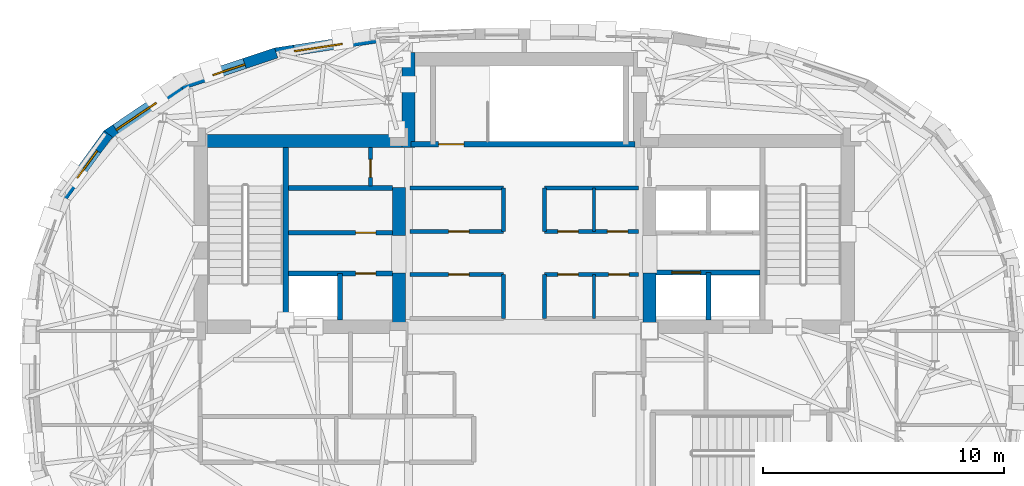
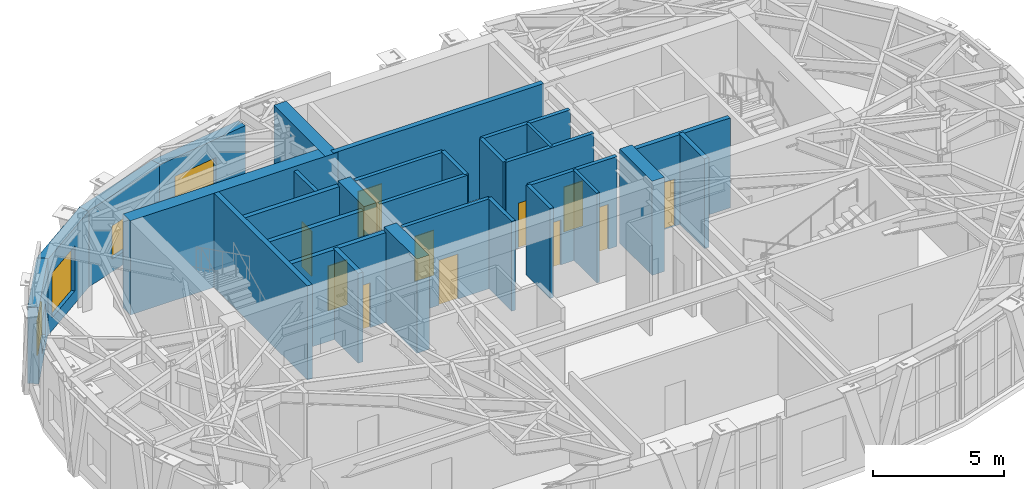
# One storey, part 11 of 16: 30 walls, 11 doors, 4 windows, 15 openings.
"""IFC4 building model written with IfcOpenShell, lengths in metres."""

from ifc_helpers import new_model, si_unit, direction, frame, frame_2d, origin, place, context, subcontext, project, spatial, rectangle, extrude, material, layer, layer_set, type_object, element, fill, save


model = new_model("IFC4")

# Units and contexts
model_context = context("Model", 3, precision=1e-05, world=origin(), true_north=direction((0.0, 1.0)))
body_context = subcontext(model_context, "Body", "Model", "MODEL_VIEW")
ifc_project = project(units=[si_unit("LENGTHUNIT", "METRE"), si_unit("AREAUNIT", "SQUARE_METRE"), si_unit("VOLUMEUNIT", "CUBIC_METRE"), si_unit("PLANEANGLEUNIT", "RADIAN"), si_unit("MASSUNIT", "GRAM", prefix="KILO")], contexts=[model_context])

# Site, building, storey
site_placement = place(None, origin())
site = spatial("IfcSite", under=ifc_project, at=site_placement, CompositionType="ELEMENT")
building_placement = place(site_placement, origin())
building = spatial("IfcBuilding", under=site, at=building_placement, Name="Keldmark Tower", CompositionType="ELEMENT")
storey_placement = place(building_placement, frame((0.0, 0.0, 264.800048828125)))
storey = spatial("IfcBuildingStorey", under=building, at=storey_placement, Name="L75", CompositionType="ELEMENT", Elevation=264.800048828125)

# Walls
ifc_material_1 = material(Name="Concrete C50/60", Category="concrete")
ifc_layer_1 = layer(ifc_material_1, 0.550048828125)
ifc_layer_set_1 = layer_set([ifc_layer_1], Name="Concrete C50/60")
wall_type_1 = type_object("IfcWallType", Name="High-Rise Core Shear Wall 550 mm", PredefinedType="SHEAR", material=ifc_layer_set_1)
wall_1_placement = place(storey_placement, frame((-13.699951171875, 9.27490234375, 0.0), z_axis=(0.0, 0.0, 1.0), x_axis=(1.0, 0.0, 0.0)))
element("IfcWall", 1, at=wall_1_placement, inside=storey, type_object=wall_type_1, Name="L75 West Core North Shear Wall", PredefinedType="SHEAR", context=body_context, shape_type="SweptSolid", body=[
    extrude(rectangle(XDim=9.175048828125, YDim=0.550048828125, at=frame_2d((4.58740234375, 0.0))), origin(), (0.0, 0.0, 1.0), 4.39990234375),
])
wall_2_placement = place(storey_placement, frame((-5.199951171875, 1.300048828125, 0.0), z_axis=(0.0, 0.0, 1.0), x_axis=(0.0, 1.0, 0.0)))
element("IfcWall", 2, at=wall_2_placement, inside=storey, type_object=wall_type_1, Name="L75 West Core Inner Shear Pier South", PredefinedType="SHEAR", context=body_context, shape_type="SweptSolid", body=[
    extrude(rectangle(XDim=2.5, YDim=0.550048828125, at=frame_2d((1.25, 0.0))), origin(), (0.0, 0.0, 1.0), 4.39990234375),
])
wall_3_placement = place(storey_placement, frame((-5.199951171875, 5.35009765625, 0.0), z_axis=(0.0, 0.0, 1.0), x_axis=(0.0, 1.0, 0.0)))
element("IfcWall", 3, at=wall_3_placement, inside=storey, type_object=wall_type_1, Name="L75 West Core Inner Shear Pier North", PredefinedType="SHEAR", context=body_context, shape_type="SweptSolid", body=[
    extrude(rectangle(XDim=2.0, YDim=0.550048828125, at=frame_2d((1.0, 0.0))), origin(), (0.0, 0.0, 1.0), 4.39990234375),
])
wall_4_placement = place(storey_placement, frame((5.199951171875, 1.300048828125, 0.0), z_axis=(0.0, 0.0, 1.0), x_axis=(0.0, 1.0, 0.0)))
element("IfcWall", 4, at=wall_4_placement, inside=storey, type_object=wall_type_1, Name="L75 East Core Inner Shear Pier South", PredefinedType="SHEAR", context=body_context, shape_type="SweptSolid", body=[
    extrude(rectangle(XDim=2.5, YDim=0.550048828125, at=frame_2d((1.25, 0.0))), origin(), (0.0, 0.0, 1.0), 4.39990234375),
])
wall_5_placement = place(storey_placement, frame((-4.800048828125, 9.0, 0.0), z_axis=(0.0, 0.0, 1.0), x_axis=(0.0, 1.0, 0.0)))
element("IfcWall", 5, at=wall_5_placement, inside=storey, type_object=wall_type_1, Name="L75 North Core West Shear Wall", PredefinedType="SHEAR", context=body_context, shape_type="SweptSolid", body=[
    extrude(rectangle(XDim=3.949951171875, YDim=0.550048828125, at=frame_2d((1.97509765625, 0.0))), origin(), (0.0, 0.0, 1.0), 4.39990234375),
])
ifc_material_2 = material(Name="Acoustic Gypsum Board Interior Partition", Category="gypsum")
ifc_layer_2 = layer(ifc_material_2, 0.1298828125)
ifc_layer_set_2 = layer_set([ifc_layer_2], Name="Acoustic Gypsum Board Interior Partition")
wall_type_2 = type_object("IfcWallType", Name="Interior Partition 130 mm", PredefinedType="PARTITIONING", material=ifc_layer_set_2)
wall_6_placement = place(storey_placement, frame((2.89990234375, 1.919921875, 0.0), z_axis=(0.0, 0.0, 1.0), x_axis=(0.0, 1.0, 0.0)))
element("IfcWall", 6, at=wall_6_placement, inside=storey, type_object=wall_type_2, Name="L75 Interior Partition 130 mm REC-LE-M", PredefinedType="PARTITIONING", context=body_context, shape_type="SweptSolid", body=[
    extrude(rectangle(XDim=1.820068359375, YDim=0.1298828125, at=frame_2d((0.91015625, 0.0))), origin(), (0.0, 0.0, 1.0), 4.199951171875),
])
wall_7_placement = place(storey_placement, frame((2.89990234375, 5.52001953125, 0.0), z_axis=(0.0, 0.0, 1.0), x_axis=(0.0, 1.0, 0.0)))
element("IfcWall", 7, at=wall_7_placement, inside=storey, type_object=wall_type_2, Name="L75 Interior Partition 130 mm REC-ME-M", PredefinedType="PARTITIONING", context=body_context, shape_type="SweptSolid", body=[
    extrude(rectangle(XDim=1.81005859375, YDim=0.1298828125, at=frame_2d((0.905029296875, 0.0))), origin(), (0.0, 0.0, 1.0), 4.199951171875),
])

# Wall, opening, door
ifc_material_3 = material(Name="Type X Fire-Rated Gypsum Partition Assembly", Category="gypsum")
ifc_layer_3 = layer(ifc_material_3, 0.1650390625)
ifc_layer_set_3 = layer_set([ifc_layer_3], Name="Type X Fire-Rated Gypsum Partition Assembly")
wall_type_3 = type_object("IfcWallType", Name="Rated Partition 165 mm", PredefinedType="PARTITIONING", material=ifc_layer_set_3)
wall_8_placement = place(storey_placement, frame((-4.739990234375, 3.739990234375, 0.0), z_axis=(0.0, 0.0, 1.0), x_axis=(1.0, 0.0, 0.0)))
wall_8 = element("IfcWall", 8, at=wall_8_placement, inside=storey, type_object=wall_type_3, Name="L75 Rated Partition 165 mm REC-LW-N", PredefinedType="PARTITIONING", context=body_context, shape_type="SweptSolid", body=[
    extrude(rectangle(XDim=3.889892578125, YDim=0.1650390625, at=frame_2d((1.94482421875, 0.0))), origin(), (0.0, 0.0, 1.0), 4.199951171875),
])
opening_1_placement = place(wall_8_placement, frame((1.60009765625, 0.0, 0.0)))
opening_1 = element("IfcOpeningElement", 9, at=opening_1_placement, cuts=wall_8, Name="Opening D-SV085", PredefinedType="OPENING", context=body_context, shape_type="SweptSolid", body=[
    extrude(rectangle(XDim=0.85009765625, YDim=2.10009765625, at=frame_2d((0.425048828125, 1.050048828125))), frame((0.0, 0.092529296875, 0.0), z_axis=(0.0, -1.0, 0.0), x_axis=(1.0, 0.0, 0.0)), (0.0, 0.0, 1.0), 0.18505859375),
])
ifc_material_4 = material(Name="Painted Hollow Metal Door Assembly", Category="metal")
door_type_1 = type_object("IfcDoorType", Name="Service Door 850x2100", OperationType="NOTDEFINED", PredefinedType="DOOR", material=ifc_material_4)
door_1_placement = place(opening_1_placement, origin())
door_1 = element("IfcDoor", 10, at=door_1_placement, inside=storey, type_object=door_type_1, Name="L75 Service Door 850x2100 D-RECLW1-L75", OperationType="SINGLE_SWING_LEFT", OverallHeight=2.10009765625, OverallWidth=0.85009765625, PredefinedType="DOOR", context=body_context, shape_type="SweptSolid", body=[
    extrude(rectangle(XDim=0.85009765625, YDim=2.10009765625, at=frame_2d((0.425048828125, 1.050048828125))), frame((0.0, 0.02490234375, 0.0), z_axis=(0.0, -1.0, 0.0), x_axis=(1.0, 0.0, 0.0)), (0.0, 0.0, 1.0), 0.050048828125),
])
fill(opening_1, door_1)

# Wall
wall_9_placement = place(storey_placement, frame((-0.85009765625, 1.919921875, 0.0), z_axis=(0.0, 0.0, 1.0), x_axis=(0.0, 1.0, 0.0)))
element("IfcWall", 11, at=wall_9_placement, inside=storey, type_object=wall_type_3, Name="L75 Rated Partition 165 mm REC-LW-E", PredefinedType="PARTITIONING", context=body_context, shape_type="SweptSolid", body=[
    extrude(rectangle(XDim=1.820068359375, YDim=0.1650390625, at=frame_2d((0.91015625, 0.0))), origin(), (0.0, 0.0, 1.0), 4.199951171875),
])

# Wall, openings, doors
wall_10_placement = place(storey_placement, frame((0.85009765625, 3.739990234375, 0.0), z_axis=(0.0, 0.0, 1.0), x_axis=(1.0, 0.0, 0.0)))
wall_10 = element("IfcWall", 12, at=wall_10_placement, inside=storey, type_object=wall_type_3, Name="L75 Rated Partition 165 mm REC-LE-N", PredefinedType="PARTITIONING", context=body_context, shape_type="SweptSolid", body=[
    extrude(rectangle(XDim=3.889892578125, YDim=0.1650390625, at=frame_2d((1.94482421875, 0.0))), origin(), (0.0, 0.0, 1.0), 4.199951171875),
])
opening_2_placement = place(wall_10_placement, frame((0.550048828125, 0.0, 0.0)))
opening_2 = element("IfcOpeningElement", 13, at=opening_2_placement, cuts=wall_10, Name="Opening D-SV085", PredefinedType="OPENING", context=body_context, shape_type="SweptSolid", body=[
    extrude(rectangle(XDim=0.85009765625, YDim=2.10009765625, at=frame_2d((0.425048828125, 1.050048828125))), frame((0.0, 0.092529296875, 0.0), z_axis=(0.0, -1.0, 0.0), x_axis=(1.0, 0.0, 0.0)), (0.0, 0.0, 1.0), 0.18505859375),
])
opening_3_placement = place(wall_10_placement, frame((2.64990234375, 0.0, 0.0)))
opening_3 = element("IfcOpeningElement", 14, at=opening_3_placement, cuts=wall_10, Name="Opening D-SV085", PredefinedType="OPENING", context=body_context, shape_type="SweptSolid", body=[
    extrude(rectangle(XDim=0.85009765625, YDim=2.10009765625, at=frame_2d((0.425048828125, 1.050048828125))), frame((0.0, 0.092529296875, 0.0), z_axis=(0.0, -1.0, 0.0), x_axis=(1.0, 0.0, 0.0)), (0.0, 0.0, 1.0), 0.18505859375),
])
door_2_placement = place(opening_2_placement, origin())
door_2 = element("IfcDoor", 15, at=door_2_placement, inside=storey, type_object=door_type_1, Name="L75 Service Door 850x2100 D-RECLE1-L75", OperationType="SINGLE_SWING_RIGHT", OverallHeight=2.10009765625, OverallWidth=0.85009765625, PredefinedType="DOOR", context=body_context, shape_type="SweptSolid", body=[
    extrude(rectangle(XDim=0.85009765625, YDim=2.10009765625, at=frame_2d((0.425048828125, 1.050048828125))), frame((0.0, 0.02490234375, 0.0), z_axis=(0.0, -1.0, 0.0), x_axis=(1.0, 0.0, 0.0)), (0.0, 0.0, 1.0), 0.050048828125),
])
fill(opening_2, door_2)
door_3_placement = place(opening_3_placement, origin())
door_3 = element("IfcDoor", 16, at=door_3_placement, inside=storey, type_object=door_type_1, Name="L75 Service Door 850x2100 D-RECLE2-L75", OperationType="SINGLE_SWING_RIGHT", OverallHeight=2.10009765625, OverallWidth=0.85009765625, PredefinedType="DOOR", context=body_context, shape_type="SweptSolid", body=[
    extrude(rectangle(XDim=0.85009765625, YDim=2.10009765625, at=frame_2d((0.425048828125, 1.050048828125))), frame((0.0, 0.02490234375, 0.0), z_axis=(0.0, -1.0, 0.0), x_axis=(1.0, 0.0, 0.0)), (0.0, 0.0, 1.0), 0.050048828125),
])
fill(opening_3, door_3)

# Wall
wall_11_placement = place(storey_placement, frame((0.85009765625, 1.919921875, 0.0), z_axis=(0.0, 0.0, 1.0), x_axis=(0.0, 1.0, 0.0)))
element("IfcWall", 17, at=wall_11_placement, inside=storey, type_object=wall_type_3, Name="L75 Rated Partition 165 mm REC-LE-W", PredefinedType="PARTITIONING", context=body_context, shape_type="SweptSolid", body=[
    extrude(rectangle(XDim=1.820068359375, YDim=0.1650390625, at=frame_2d((0.91015625, 0.0))), origin(), (0.0, 0.0, 1.0), 4.199951171875),
])

# Wall, opening, door
wall_12_placement = place(storey_placement, frame((-4.739990234375, 5.52001953125, 0.0), z_axis=(0.0, 0.0, 1.0), x_axis=(1.0, 0.0, 0.0)))
wall_12 = element("IfcWall", 18, at=wall_12_placement, inside=storey, type_object=wall_type_3, Name="L75 Rated Partition 165 mm REC-MW-S", PredefinedType="PARTITIONING", context=body_context, shape_type="SweptSolid", body=[
    extrude(rectangle(XDim=3.889892578125, YDim=0.1650390625, at=frame_2d((1.94482421875, 0.0))), origin(), (0.0, 0.0, 1.0), 4.199951171875),
])
opening_4_placement = place(wall_12_placement, frame((1.60009765625, 0.0, 0.0)))
opening_4 = element("IfcOpeningElement", 19, at=opening_4_placement, cuts=wall_12, Name="Opening D-SV085", PredefinedType="OPENING", context=body_context, shape_type="SweptSolid", body=[
    extrude(rectangle(XDim=0.85009765625, YDim=2.10009765625, at=frame_2d((0.425048828125, 1.050048828125))), frame((0.0, 0.092529296875, 0.0), z_axis=(0.0, -1.0, 0.0), x_axis=(1.0, 0.0, 0.0)), (0.0, 0.0, 1.0), 0.18505859375),
])
door_4_placement = place(opening_4_placement, origin())
door_4 = element("IfcDoor", 20, at=door_4_placement, inside=storey, type_object=door_type_1, Name="L75 Service Door 850x2100 D-RECMW1-L75", OperationType="SINGLE_SWING_LEFT", OverallHeight=2.10009765625, OverallWidth=0.85009765625, PredefinedType="DOOR", context=body_context, shape_type="SweptSolid", body=[
    extrude(rectangle(XDim=0.85009765625, YDim=2.10009765625, at=frame_2d((0.425048828125, 1.050048828125))), frame((0.0, 0.02490234375, 0.0), z_axis=(0.0, -1.0, 0.0), x_axis=(1.0, 0.0, 0.0)), (0.0, 0.0, 1.0), 0.050048828125),
])
fill(opening_4, door_4)

# Walls
wall_13_placement = place(storey_placement, frame((-4.739990234375, 7.330078125, 0.0), z_axis=(0.0, 0.0, 1.0), x_axis=(1.0, 0.0, 0.0)))
element("IfcWall", 21, at=wall_13_placement, inside=storey, type_object=wall_type_3, Name="L75 Rated Partition 165 mm REC-MW-N", PredefinedType="PARTITIONING", context=body_context, shape_type="SweptSolid", body=[
    extrude(rectangle(XDim=3.889892578125, YDim=0.1650390625, at=frame_2d((1.94482421875, 0.0))), origin(), (0.0, 0.0, 1.0), 4.199951171875),
])
wall_14_placement = place(storey_placement, frame((-0.85009765625, 5.52001953125, 0.0), z_axis=(0.0, 0.0, 1.0), x_axis=(0.0, 1.0, 0.0)))
element("IfcWall", 22, at=wall_14_placement, inside=storey, type_object=wall_type_3, Name="L75 Rated Partition 165 mm REC-MW-E", PredefinedType="PARTITIONING", context=body_context, shape_type="SweptSolid", body=[
    extrude(rectangle(XDim=1.81005859375, YDim=0.1650390625, at=frame_2d((0.905029296875, 0.0))), origin(), (0.0, 0.0, 1.0), 4.199951171875),
])

# Wall, openings, doors
wall_15_placement = place(storey_placement, frame((0.85009765625, 5.52001953125, 0.0), z_axis=(0.0, 0.0, 1.0), x_axis=(1.0, 0.0, 0.0)))
wall_15 = element("IfcWall", 23, at=wall_15_placement, inside=storey, type_object=wall_type_3, Name="L75 Rated Partition 165 mm REC-ME-S", PredefinedType="PARTITIONING", context=body_context, shape_type="SweptSolid", body=[
    extrude(rectangle(XDim=3.889892578125, YDim=0.1650390625, at=frame_2d((1.94482421875, 0.0))), origin(), (0.0, 0.0, 1.0), 4.199951171875),
])
opening_5_placement = place(wall_15_placement, frame((0.550048828125, 0.0, 0.0)))
opening_5 = element("IfcOpeningElement", 24, at=opening_5_placement, cuts=wall_15, Name="Opening D-SV085", PredefinedType="OPENING", context=body_context, shape_type="SweptSolid", body=[
    extrude(rectangle(XDim=0.85009765625, YDim=2.10009765625, at=frame_2d((0.425048828125, 1.050048828125))), frame((0.0, 0.092529296875, 0.0), z_axis=(0.0, -1.0, 0.0), x_axis=(1.0, 0.0, 0.0)), (0.0, 0.0, 1.0), 0.18505859375),
])
opening_6_placement = place(wall_15_placement, frame((2.60009765625, 0.0, 0.0)))
opening_6 = element("IfcOpeningElement", 25, at=opening_6_placement, cuts=wall_15, Name="Opening D-SV085", PredefinedType="OPENING", context=body_context, shape_type="SweptSolid", body=[
    extrude(rectangle(XDim=0.85009765625, YDim=2.10009765625, at=frame_2d((0.425048828125, 1.050048828125))), frame((0.0, 0.092529296875, 0.0), z_axis=(0.0, -1.0, 0.0), x_axis=(1.0, 0.0, 0.0)), (0.0, 0.0, 1.0), 0.18505859375),
])
door_5_placement = place(opening_5_placement, origin())
door_5 = element("IfcDoor", 26, at=door_5_placement, inside=storey, type_object=door_type_1, Name="L75 Service Door 850x2100 D-RECME1-L75", OperationType="SINGLE_SWING_LEFT", OverallHeight=2.10009765625, OverallWidth=0.85009765625, PredefinedType="DOOR", context=body_context, shape_type="SweptSolid", body=[
    extrude(rectangle(XDim=0.85009765625, YDim=2.10009765625, at=frame_2d((0.425048828125, 1.050048828125))), frame((0.0, 0.02490234375, 0.0), z_axis=(0.0, -1.0, 0.0), x_axis=(1.0, 0.0, 0.0)), (0.0, 0.0, 1.0), 0.050048828125),
])
fill(opening_5, door_5)
door_6_placement = place(opening_6_placement, origin())
door_6 = element("IfcDoor", 27, at=door_6_placement, inside=storey, type_object=door_type_1, Name="L75 Service Door 850x2100 D-RECME2-L75", OperationType="SINGLE_SWING_RIGHT", OverallHeight=2.10009765625, OverallWidth=0.85009765625, PredefinedType="DOOR", context=body_context, shape_type="SweptSolid", body=[
    extrude(rectangle(XDim=0.85009765625, YDim=2.10009765625, at=frame_2d((0.425048828125, 1.050048828125))), frame((0.0, 0.02490234375, 0.0), z_axis=(0.0, -1.0, 0.0), x_axis=(1.0, 0.0, 0.0)), (0.0, 0.0, 1.0), 0.050048828125),
])
fill(opening_6, door_6)

# Walls
wall_16_placement = place(storey_placement, frame((0.85009765625, 7.330078125, 0.0), z_axis=(0.0, 0.0, 1.0), x_axis=(1.0, 0.0, 0.0)))
element("IfcWall", 28, at=wall_16_placement, inside=storey, type_object=wall_type_3, Name="L75 Rated Partition 165 mm REC-ME-N", PredefinedType="PARTITIONING", context=body_context, shape_type="SweptSolid", body=[
    extrude(rectangle(XDim=3.889892578125, YDim=0.1650390625, at=frame_2d((1.94482421875, 0.0))), origin(), (0.0, 0.0, 1.0), 4.199951171875),
])
wall_17_placement = place(storey_placement, frame((0.85009765625, 5.52001953125, 0.0), z_axis=(0.0, 0.0, 1.0), x_axis=(0.0, 1.0, 0.0)))
element("IfcWall", 29, at=wall_17_placement, inside=storey, type_object=wall_type_3, Name="L75 Rated Partition 165 mm REC-ME-W", PredefinedType="PARTITIONING", context=body_context, shape_type="SweptSolid", body=[
    extrude(rectangle(XDim=1.81005859375, YDim=0.1650390625, at=frame_2d((0.905029296875, 0.0))), origin(), (0.0, 0.0, 1.0), 4.199951171875),
])

# Wall, opening, door
wall_18_placement = place(storey_placement, frame((-6.3798828125, 7.419921875, 0.0), z_axis=(0.0, 0.0, 1.0), x_axis=(0.0, 1.0, 0.0)))
wall_18 = element("IfcWall", 30, at=wall_18_placement, inside=storey, type_object=wall_type_3, Name="L75 Rated Partition 165 mm CS-NW-E", PredefinedType="PARTITIONING", context=body_context, shape_type="SweptSolid", body=[
    extrude(rectangle(XDim=1.580078125, YDim=0.1650390625, at=frame_2d((0.7900390625, 0.0))), origin(), (0.0, 0.0, 1.0), 4.199951171875),
])
opening_7_placement = place(wall_18_placement, frame((0.35009765625, 0.0, 0.0)))
opening_7 = element("IfcOpeningElement", 31, at=opening_7_placement, cuts=wall_18, Name="Opening D-RS075", PredefinedType="OPENING", context=body_context, shape_type="SweptSolid", body=[
    extrude(rectangle(XDim=0.75, YDim=2.10009765625, at=frame_2d((0.375, 1.050048828125))), frame((0.0, 0.092529296875, 0.0), z_axis=(0.0, -1.0, 0.0), x_axis=(1.0, 0.0, 0.0)), (0.0, 0.0, 1.0), 0.18505859375),
])
ifc_material_5 = material(Name="Galvanized Fire-Rated Access Leaf", Category="metal")
door_type_2 = type_object("IfcDoorType", Name="Riser Access Door 750x2100", OperationType="NOTDEFINED", PredefinedType="DOOR", material=ifc_material_5)
door_7_placement = place(opening_7_placement, origin())
door_7 = element("IfcDoor", 32, at=door_7_placement, inside=storey, type_object=door_type_2, Name="L75 Riser Access Door 750x2100 D-CSNW1-L75", OperationType="SINGLE_SWING_RIGHT", OverallHeight=2.10009765625, OverallWidth=0.75, PredefinedType="DOOR", context=body_context, shape_type="SweptSolid", body=[
    extrude(rectangle(XDim=0.75, YDim=2.10009765625, at=frame_2d((0.375, 1.050048828125))), frame((0.0, 0.02490234375, 0.0), z_axis=(0.0, -1.0, 0.0), x_axis=(1.0, 0.0, 0.0)), (0.0, 0.0, 1.0), 0.050048828125),
])
fill(opening_7, door_7)

ifc_material_6 = material(Name="Fire-Resistant Type X Gypsum Shaftliner Coreboard", Category="gypsum")
ifc_layer_4 = layer(ifc_material_6, 0.199951171875)
ifc_layer_set_4 = layer_set([ifc_layer_4], Name="Fire-Resistant Type X Gypsum Shaftliner Coreboard")
wall_type_4 = type_object("IfcWallType", Name="Shaft Wall 200 mm", PredefinedType="SOLIDWALL", material=ifc_layer_set_4)
wall_19_placement = place(storey_placement, frame((-9.780029296875, 3.780029296875, 0.0), z_axis=(0.0, 0.0, 1.0), x_axis=(1.0, 0.0, 0.0)))
wall_19 = element("IfcWall", 33, at=wall_19_placement, inside=storey, type_object=wall_type_4, Name="L75 Shaft Wall 200 mm HW-W-S", PredefinedType="SOLIDWALL", context=body_context, shape_type="SweptSolid", body=[
    extrude(rectangle(XDim=4.304931640625, YDim=0.199951171875, at=frame_2d((2.15234375, 0.0))), origin(), (0.0, 0.0, 1.0), 4.199951171875),
])
opening_8_placement = place(wall_19_placement, frame((2.780029296875, 0.0, 0.0)))
opening_8 = element("IfcOpeningElement", 34, at=opening_8_placement, cuts=wall_19, Name="Opening D-SV085", PredefinedType="OPENING", context=body_context, shape_type="SweptSolid", body=[
    extrude(rectangle(XDim=0.85009765625, YDim=2.10009765625, at=frame_2d((0.425048828125, 1.050048828125))), frame((0.0, 0.10986328125, 0.0), z_axis=(0.0, -1.0, 0.0), x_axis=(1.0, 0.0, 0.0)), (0.0, 0.0, 1.0), 0.219970703125),
])
door_8_placement = place(opening_8_placement, origin())
door_8 = element("IfcDoor", 35, at=door_8_placement, inside=storey, type_object=door_type_1, Name="L75 Service Door 850x2100 D-HREC2-L75", OperationType="SINGLE_SWING_LEFT", OverallHeight=2.10009765625, OverallWidth=0.85009765625, PredefinedType="DOOR", context=body_context, shape_type="SweptSolid", body=[
    extrude(rectangle(XDim=0.85009765625, YDim=2.10009765625, at=frame_2d((0.425048828125, 1.050048828125))), frame((0.0, 0.02490234375, 0.0), z_axis=(0.0, -1.0, 0.0), x_axis=(1.0, 0.0, 0.0)), (0.0, 0.0, 1.0), 0.050048828125),
])
fill(opening_8, door_8)

# Wall
wall_20_placement = place(storey_placement, frame((-7.64990234375, 1.85009765625, 0.0), z_axis=(0.0, 0.0, 1.0), x_axis=(0.0, 1.0, 0.0)))
element("IfcWall", 36, at=wall_20_placement, inside=storey, type_object=wall_type_4, Name="L75 Shaft Wall 200 mm HW-W-M", PredefinedType="SOLIDWALL", context=body_context, shape_type="SweptSolid", body=[
    extrude(rectangle(XDim=1.929931640625, YDim=0.199951171875, at=frame_2d((0.96484375, 0.0))), origin(), (0.0, 0.0, 1.0), 4.199951171875),
])

# Wall, opening, door
wall_21_placement = place(storey_placement, frame((-9.780029296875, 5.469970703125, 0.0), z_axis=(0.0, 0.0, 1.0), x_axis=(1.0, 0.0, 0.0)))
wall_21 = element("IfcWall", 37, at=wall_21_placement, inside=storey, type_object=wall_type_4, Name="L75 Shaft Wall 200 mm HW-W-N", PredefinedType="SOLIDWALL", context=body_context, shape_type="SweptSolid", body=[
    extrude(rectangle(XDim=4.304931640625, YDim=0.199951171875, at=frame_2d((2.15234375, 0.0))), origin(), (0.0, 0.0, 1.0), 4.199951171875),
])
opening_9_placement = place(wall_21_placement, frame((2.780029296875, 0.0, 0.0)))
opening_9 = element("IfcOpeningElement", 38, at=opening_9_placement, cuts=wall_21, Name="Opening D-SV085", PredefinedType="OPENING", context=body_context, shape_type="SweptSolid", body=[
    extrude(rectangle(XDim=0.85009765625, YDim=2.10009765625, at=frame_2d((0.425048828125, 1.050048828125))), frame((0.0, 0.10986328125, 0.0), z_axis=(0.0, -1.0, 0.0), x_axis=(1.0, 0.0, 0.0)), (0.0, 0.0, 1.0), 0.219970703125),
])
door_9_placement = place(opening_9_placement, origin())
door_9 = element("IfcDoor", 39, at=door_9_placement, inside=storey, type_object=door_type_1, Name="L75 Service Door 850x2100 D-HREC1-L75", OperationType="SINGLE_SWING_RIGHT", OverallHeight=2.10009765625, OverallWidth=0.85009765625, PredefinedType="DOOR", context=body_context, shape_type="SweptSolid", body=[
    extrude(rectangle(XDim=0.85009765625, YDim=2.10009765625, at=frame_2d((0.425048828125, 1.050048828125))), frame((0.0, 0.02490234375, 0.0), z_axis=(0.0, -1.0, 0.0), x_axis=(1.0, 0.0, 0.0)), (0.0, 0.0, 1.0), 0.050048828125),
])
fill(opening_9, door_9)

# Wall
wall_22_placement = place(storey_placement, frame((-9.780029296875, 7.330078125, 0.0), z_axis=(0.0, 0.0, 1.0), x_axis=(1.0, 0.0, 0.0)))
element("IfcWall", 40, at=wall_22_placement, inside=storey, type_object=wall_type_4, Name="L75 Shaft Wall 200 mm HW-W-TOP", PredefinedType="SOLIDWALL", context=body_context, shape_type="SweptSolid", body=[
    extrude(rectangle(XDim=4.304931640625, YDim=0.199951171875, at=frame_2d((2.15234375, 0.0))), origin(), (0.0, 0.0, 1.0), 4.199951171875),
])

# Wall, opening, door
wall_23_placement = place(storey_placement, frame((5.47509765625, 3.820068359375, 0.0), z_axis=(0.0, 0.0, 1.0), x_axis=(1.0, 0.0, 0.0)))
wall_23 = element("IfcWall", 41, at=wall_23_placement, inside=storey, type_object=wall_type_4, Name="L75 Shaft Wall 200 mm HW-E-S", PredefinedType="SOLIDWALL", context=body_context, shape_type="SweptSolid", body=[
    extrude(rectangle(XDim=4.304931640625, YDim=0.199951171875, at=frame_2d((2.15234375, 0.0))), origin(), (0.0, 0.0, 1.0), 4.199951171875),
])
opening_10_placement = place(wall_23_placement, frame((0.64990234375, 0.0, 0.0)))
opening_10 = element("IfcOpeningElement", 42, at=opening_10_placement, cuts=wall_23, Name="Opening LD-120", PredefinedType="OPENING", context=body_context, shape_type="SweptSolid", body=[
    extrude(rectangle(XDim=1.199951171875, YDim=2.199951171875, at=frame_2d((0.60009765625, 1.10009765625))), frame((0.0, 0.10986328125, 0.0), z_axis=(0.0, -1.0, 0.0), x_axis=(1.0, 0.0, 0.0)), (0.0, 0.0, 1.0), 0.219970703125),
])
ifc_material_7 = material(Name="Heavy-Duty Brushed Metal Hoistway Sliding Leaf", Category="metal")
door_type_3 = type_object("IfcDoorType", Name="Service Lift Sliding Door 1200x2200", OperationType="SLIDING_TO_RIGHT", PredefinedType="DOOR", material=ifc_material_7)
door_10_placement = place(opening_10_placement, origin())
door_10 = element("IfcDoor", 43, at=door_10_placement, inside=storey, type_object=door_type_3, Name="L75 Service Lift Sliding Door 1200x2200 LD-EL-SV1-L75", OperationType="SLIDING_TO_RIGHT", OverallHeight=2.199951171875, OverallWidth=1.199951171875, PredefinedType="DOOR", context=body_context, shape_type="SweptSolid", body=[
    extrude(rectangle(XDim=1.199951171875, YDim=2.199951171875, at=frame_2d((0.60009765625, 1.10009765625))), frame((0.0, 0.02490234375, 0.0), z_axis=(0.0, -1.0, 0.0), x_axis=(1.0, 0.0, 0.0)), (0.0, 0.0, 1.0), 0.050048828125),
])
fill(opening_10, door_10)

# Walls
wall_24_placement = place(storey_placement, frame((7.64990234375, 1.85009765625, 0.0), z_axis=(0.0, 0.0, 1.0), x_axis=(0.0, 1.0, 0.0)))
element("IfcWall", 44, at=wall_24_placement, inside=storey, type_object=wall_type_4, Name="L75 Shaft Wall 200 mm HW-E-M", PredefinedType="SOLIDWALL", context=body_context, shape_type="SweptSolid", body=[
    extrude(rectangle(XDim=1.969970703125, YDim=0.199951171875, at=frame_2d((0.98486328125, 0.0))), origin(), (0.0, 0.0, 1.0), 4.199951171875),
])
ifc_material_8 = material(Name="Concrete C50/60", Category="concrete")
ifc_layer_5 = layer(ifc_material_8, 0.219970703125)
ifc_layer_set_5 = layer_set([ifc_layer_5], Name="Concrete C50/60")
wall_type_5 = type_object("IfcWallType", Name="Stair Core Shear Wall 220 mm", PredefinedType="SHEAR", material=ifc_layer_set_5)
wall_25_placement = place(storey_placement, frame((-9.889892578125, 1.85009765625, 0.0), z_axis=(0.0, 0.0, 1.0), x_axis=(0.0, 1.0, 0.0)))
element("IfcWall", 45, at=wall_25_placement, inside=storey, type_object=wall_type_5, Name="L75 West Stair Core Shear Wall", PredefinedType="SHEAR", context=body_context, shape_type="SweptSolid", body=[
    extrude(rectangle(XDim=7.14990234375, YDim=0.219970703125, at=frame_2d((3.574951171875, 0.0))), origin(), (0.0, 0.0, 1.0), 4.39990234375),
])

# Wall, opening, door
wall_26_placement = place(storey_placement, frame((-4.699951171875, 9.139892578125, 0.0), z_axis=(0.0, 0.0, 1.0), x_axis=(1.0, 0.0, 0.0)))
wall_26 = element("IfcWall", 46, at=wall_26_placement, inside=storey, type_object=wall_type_5, Name="L75 Central Stair Core South Shear Wall", PredefinedType="SHEAR", context=body_context, shape_type="SweptSolid", body=[
    extrude(rectangle(XDim=9.300048828125, YDim=0.219970703125, at=frame_2d((4.64990234375, 0.0))), origin(), (0.0, 0.0, 1.0), 4.39990234375),
])
opening_11_placement = place(wall_26_placement, frame((1.14990234375, 0.0, 0.0)))
opening_11 = element("IfcOpeningElement", 47, at=opening_11_placement, cuts=wall_26, Name="Opening D-ST105", PredefinedType="OPENING", context=body_context, shape_type="SweptSolid", body=[
    extrude(rectangle(XDim=1.050048828125, YDim=2.14990234375, at=frame_2d((0.52490234375, 1.074951171875))), frame((0.0, 0.119873046875, 0.0), z_axis=(0.0, -1.0, 0.0), x_axis=(1.0, 0.0, 0.0)), (0.0, 0.0, 1.0), 0.239990234375),
])
ifc_material_9 = material(Name="Hollow Metal Fire-Rated Door Assembly", Category="metal")
door_type_4 = type_object("IfcDoorType", Name="Stair Fire Door 1050x2150", OperationType="NOTDEFINED", PredefinedType="DOOR", material=ifc_material_9)
door_11_placement = place(opening_11_placement, origin())
door_11 = element("IfcDoor", 48, at=door_11_placement, inside=storey, type_object=door_type_4, Name="L75 Stair Fire Door 1050x2150 D-ST3-L75", OperationType="SINGLE_SWING_LEFT", OverallHeight=2.14990234375, OverallWidth=1.050048828125, PredefinedType="DOOR", context=body_context, shape_type="SweptSolid", body=[
    extrude(rectangle(XDim=1.050048828125, YDim=2.14990234375, at=frame_2d((0.52490234375, 1.074951171875))), frame((0.0, 0.02490234375, 0.0), z_axis=(0.0, -1.0, 0.0), x_axis=(1.0, 0.0, 0.0)), (0.0, 0.0, 1.0), 0.050048828125),
])
fill(opening_11, door_11)

# Wall, opening, window
ifc_material_10 = material(Name="Ironspot Manganese Brick and Kasota Buff Limestone Spandrel Assembly", Category="masonry")
ifc_layer_6 = layer(ifc_material_10, 0.43994140625)
ifc_layer_set_6 = layer_set([ifc_layer_6], Name="Ironspot Manganese Brick and Kasota Buff Limestone Spandrel Assembly")
wall_type_6 = type_object("IfcWallType", Name="Tower Brick Pier and Spandrel Wall 440 mm", PredefinedType="STANDARD", material=ifc_layer_set_6)
wall_27_placement = place(storey_placement, frame((-10.328125, 12.923828125, 0.0), z_axis=(0.0, 0.0, 1.0), x_axis=(0.988636872831, 0.150323430242, 0.0)))
wall_27 = element("IfcWall", 49, at=wall_27_placement, inside=storey, type_object=wall_type_6, Name="L75 Exterior Brick and Spandrel Wall 10", PredefinedType="STANDARD", context=body_context, shape_type="SweptSolid", body=[
    extrude(rectangle(XDim=4.243896484375, YDim=0.43994140625, at=frame_2d((2.1220703125, 0.0))), origin(), (0.0, 0.0, 1.0), 3.56591796875),
])
opening_12_placement = place(wall_27_placement, frame((0.798095703125, 0.0, 0.60009765625)))
opening_12 = element("IfcOpeningElement", 50, at=opening_12_placement, cuts=wall_27, Name="Opening W-06", PredefinedType="OPENING", context=body_context, shape_type="SweptSolid", body=[
    extrude(rectangle(XDim=2.0, YDim=2.10009765625, at=frame_2d((1.0, 1.050048828125))), frame((0.0, 0.22998046875, 0.0), z_axis=(0.0, -1.0, 0.0), x_axis=(1.0, 0.0, 0.0)), (0.0, 0.0, 1.0), 0.4599609375),
])
ifc_material_11 = material(Name="Thermally Broken Anodized Aluminum and Triple Low-E Argon Glazing", Category="aluminium")
window_type_1 = type_object("IfcWindowType", Name="Sky Lounge Tall Punched Window 2000x2100", PartitioningType="SINGLE_PANEL", PredefinedType="WINDOW", material=ifc_material_11)
window_1_placement = place(opening_12_placement, origin())
window_1 = element("IfcWindow", 51, at=window_1_placement, inside=storey, type_object=window_type_1, Name="L75 Deep-Set Window 10", OverallHeight=2.10009765625, OverallWidth=2.0, PartitioningType="SINGLE_PANEL", PredefinedType="WINDOW", context=body_context, shape_type="SweptSolid", body=[
    extrude(rectangle(XDim=2.0, YDim=2.10009765625, at=frame_2d((1.0, 1.050048828125))), frame((0.0, -0.010009765625, 0.0), z_axis=(0.0, -1.0, 0.0), x_axis=(1.0, 0.0, 0.0)), (0.0, 0.0, 1.0), 0.06005859375),
])
fill(opening_12, window_1)

wall_28_placement = place(storey_placement, frame((-14.24169921875, 11.61328125, 0.0), z_axis=(0.0, 0.0, 1.0), x_axis=(0.948495542397, 0.316790476583, 0.0)))
wall_28 = element("IfcWall", 52, at=wall_28_placement, inside=storey, type_object=wall_type_6, Name="L75 Exterior Brick and Spandrel Wall 11", PredefinedType="STANDARD", context=body_context, shape_type="SweptSolid", body=[
    extrude(rectangle(XDim=4.164794921875, YDim=0.43994140625, at=frame_2d((2.08251953125, 0.0))), origin(), (0.0, 0.0, 1.0), 3.56591796875),
])
opening_13_placement = place(wall_28_placement, frame((1.38232421875, 0.0, 0.60009765625)))
opening_13 = element("IfcOpeningElement", 53, at=opening_13_placement, cuts=wall_28, Name="Opening W-08", PredefinedType="OPENING", context=body_context, shape_type="SweptSolid", body=[
    extrude(rectangle(XDim=1.39990234375, YDim=1.550048828125, at=frame_2d((0.699951171875, 0.77490234375))), frame((0.0, 0.22998046875, 0.0), z_axis=(0.0, -1.0, 0.0), x_axis=(1.0, 0.0, 0.0)), (0.0, 0.0, 1.0), 0.4599609375),
])
ifc_material_12 = material(Name="Thermally Broken Anodized Aluminum and Triple Low-E Argon Glazing", Category="aluminium")
window_type_2 = type_object("IfcWindowType", Name="Residential Corner Punched Window 1400x1550", PartitioningType="SINGLE_PANEL", PredefinedType="WINDOW", material=ifc_material_12)
window_2_placement = place(opening_13_placement, origin())
window_2 = element("IfcWindow", 54, at=window_2_placement, inside=storey, type_object=window_type_2, Name="L75 Deep-Set Window 11", OverallHeight=1.550048828125, OverallWidth=1.39990234375, PartitioningType="SINGLE_PANEL", PredefinedType="WINDOW", context=body_context, shape_type="SweptSolid", body=[
    extrude(rectangle(XDim=1.39990234375, YDim=1.550048828125, at=frame_2d((0.699951171875, 0.77490234375))), frame((0.0, -0.010009765625, 0.0), z_axis=(0.0, -1.0, 0.0), x_axis=(1.0, 0.0, 0.0)), (0.0, 0.0, 1.0), 0.06005859375),
])
fill(opening_13, window_2)

wall_29_placement = place(storey_placement, frame((-17.315185546875, 9.52001953125, 0.0), z_axis=(0.0, 0.0, 1.0), x_axis=(0.827740547026, 0.56111102895, 0.0)))
wall_29 = element("IfcWall", 55, at=wall_29_placement, inside=storey, type_object=wall_type_6, Name="L75 Exterior Brick and Spandrel Wall 12", PredefinedType="STANDARD", context=body_context, shape_type="SweptSolid", body=[
    extrude(rectangle(XDim=3.778076171875, YDim=0.43994140625, at=frame_2d((1.88916015625, 0.0))), origin(), (0.0, 0.0, 1.0), 3.56591796875),
])
opening_14_placement = place(wall_29_placement, frame((0.446044921875, 0.0, 0.60009765625)))
opening_14 = element("IfcOpeningElement", 56, at=opening_14_placement, cuts=wall_29, Name="Opening W-06", PredefinedType="OPENING", context=body_context, shape_type="SweptSolid", body=[
    extrude(rectangle(XDim=2.0, YDim=2.10009765625, at=frame_2d((1.0, 1.050048828125))), frame((0.0, 0.22998046875, 0.0), z_axis=(0.0, -1.0, 0.0), x_axis=(1.0, 0.0, 0.0)), (0.0, 0.0, 1.0), 0.4599609375),
])
window_3_placement = place(opening_14_placement, origin())
window_3 = element("IfcWindow", 57, at=window_3_placement, inside=storey, type_object=window_type_1, Name="L75 Deep-Set Window 12", OverallHeight=2.10009765625, OverallWidth=2.0, PartitioningType="SINGLE_PANEL", PredefinedType="WINDOW", context=body_context, shape_type="SweptSolid", body=[
    extrude(rectangle(XDim=2.0, YDim=2.10009765625, at=frame_2d((1.0, 1.050048828125))), frame((0.0, -0.010009765625, 0.0), z_axis=(0.0, -1.0, 0.0), x_axis=(1.0, 0.0, 0.0)), (0.0, 0.0, 1.0), 0.06005859375),
])
fill(opening_14, window_3)

wall_30_placement = place(storey_placement, frame((-19.20654296875, 6.89501953125, 0.0), z_axis=(0.0, 0.0, 1.0), x_axis=(0.5878953838, 0.808936967697, 0.0)))
wall_30 = element("IfcWall", 58, at=wall_30_placement, inside=storey, type_object=wall_type_6, Name="L75 Exterior Brick and Spandrel Wall 13", PredefinedType="STANDARD", context=body_context, shape_type="SweptSolid", body=[
    extrude(rectangle(XDim=3.310302734375, YDim=0.43994140625, at=frame_2d((1.6552734375, 0.0))), origin(), (0.0, 0.0, 1.0), 3.56591796875),
])
opening_15_placement = place(wall_30_placement, frame((1.076904296875, 0.0, 0.580078125)))
opening_15 = element("IfcOpeningElement", 59, at=opening_15_placement, cuts=wall_30, Name="Opening W-08", PredefinedType="OPENING", context=body_context, shape_type="SweptSolid", body=[
    extrude(rectangle(XDim=1.39990234375, YDim=1.550048828125, at=frame_2d((0.699951171875, 0.77490234375))), frame((0.0, 0.22998046875, 0.0), z_axis=(0.0, -1.0, 0.0), x_axis=(1.0, 0.0, 0.0)), (0.0, 0.0, 1.0), 0.4599609375),
])
window_4_placement = place(opening_15_placement, origin())
window_4 = element("IfcWindow", 60, at=window_4_placement, inside=storey, type_object=window_type_2, Name="L75 Deep-Set Window 13", OverallHeight=1.550048828125, OverallWidth=1.39990234375, PartitioningType="SINGLE_PANEL", PredefinedType="WINDOW", context=body_context, shape_type="SweptSolid", body=[
    extrude(rectangle(XDim=1.39990234375, YDim=1.550048828125, at=frame_2d((0.699951171875, 0.77490234375))), frame((0.0, -0.010009765625, 0.0), z_axis=(0.0, -1.0, 0.0), x_axis=(1.0, 0.0, 0.0)), (0.0, 0.0, 1.0), 0.06005859375),
])
fill(opening_15, window_4)

save(model, "model.ifc")
